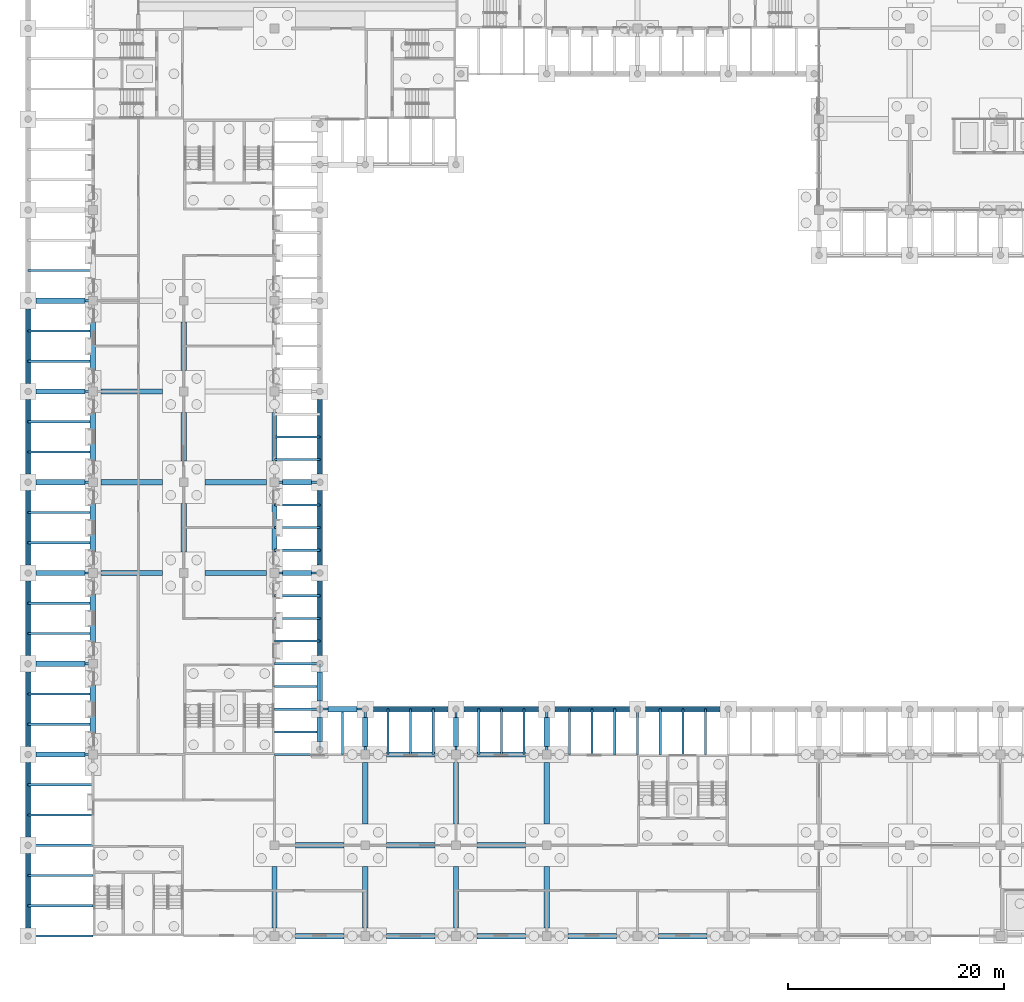
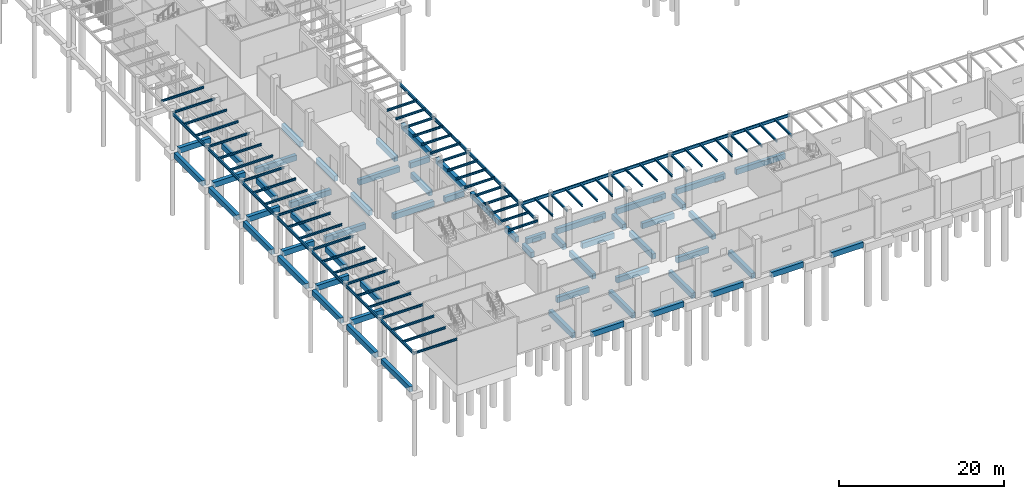
# One storey, part 9 of 82: 76 beams, 55 members.
"""IFC4 building model written with IfcOpenShell, lengths in metres."""

from ifc_helpers import new_model, si_unit, direction, frame, origin, origin_2d, place, context, subcontext, project, spatial, rectangle, i_section, extrude, material, material_profile, profile_set, type_object, element, save


model = new_model("IFC4")

# Units and contexts
model_context = context("Model", 3, precision=1e-05, world=origin(), true_north=direction((0.0, 1.0)))
body_context = subcontext(model_context, "Body", "Model", "MODEL_VIEW")
ifc_project = project(units=[si_unit("LENGTHUNIT", "METRE"), si_unit("AREAUNIT", "SQUARE_METRE"), si_unit("VOLUMEUNIT", "CUBIC_METRE"), si_unit("PLANEANGLEUNIT", "RADIAN"), si_unit("MASSUNIT", "GRAM", prefix="KILO")], contexts=[model_context])

# Site, building, storey
site_placement = place(None, origin())
site = spatial("IfcSite", under=ifc_project, at=site_placement, CompositionType="ELEMENT")
building_placement = place(site_placement, origin())
building = spatial("IfcBuilding", under=site, at=building_placement, Name="Almond Square Museum", CompositionType="ELEMENT")
storey_placement = place(building_placement, origin())
storey = spatial("IfcBuildingStorey", under=building, at=storey_placement, Name="L00", CompositionType="ELEMENT", Elevation=0.0)

# Beams
ifc_material_1 = material(Name="Structural steel S355", Category="steel")
ifc_material_profile_1 = material_profile(ifc_material_1, i_section(OverallWidth=0.19091796875, OverallDepth=0.45703125, WebThickness=0.009033203125, FlangeThickness=0.014404296875, at=origin_2d()))
ifc_profile_set_1 = profile_set([ifc_material_profile_1], Name="Structural steel S355")
beam_type_1 = type_object("IfcBeamType", Name="Eave beam W460x74", PredefinedType="BEAM", material=ifc_profile_set_1)
beam_1_placement = place(storey_placement, frame((0.0, 0.0, 5.021484375), z_axis=(0.0, 1.0, 0.0), x_axis=(-1.0, 0.0, 0.0)))
element("IfcBeam", 1, at=beam_1_placement, inside=storey, type_object=beam_type_1, Name="ARW roof edge beam 1", PredefinedType="BEAM", context=body_context, shape_type="SweptSolid", body=[
    extrude(i_section(OverallWidth=0.19091796875, OverallDepth=0.45703125, WebThickness=0.009033203125, FlangeThickness=0.014404296875, at=origin_2d()), origin(), (0.0, 0.0, 1.0), 8.39990234375),
])
beam_2_placement = place(storey_placement, frame((0.0, 8.39990234375, 5.021484375), z_axis=(0.0, 1.0, 0.0), x_axis=(-1.0, 0.0, 0.0)))
element("IfcBeam", 2, at=beam_2_placement, inside=storey, type_object=beam_type_1, Name="ARW roof edge beam 2", PredefinedType="BEAM", context=body_context, shape_type="SweptSolid", body=[
    extrude(i_section(OverallWidth=0.19091796875, OverallDepth=0.45703125, WebThickness=0.009033203125, FlangeThickness=0.014404296875, at=origin_2d()), origin(), (0.0, 0.0, 1.0), 8.400146484375),
])
beam_3_placement = place(storey_placement, frame((0.0, 16.800048828125, 5.021484375), z_axis=(0.0, 1.0, 0.0), x_axis=(-1.0, 0.0, 0.0)))
element("IfcBeam", 3, at=beam_3_placement, inside=storey, type_object=beam_type_1, Name="ARW roof edge beam 3", PredefinedType="BEAM", context=body_context, shape_type="SweptSolid", body=[
    extrude(i_section(OverallWidth=0.19091796875, OverallDepth=0.45703125, WebThickness=0.009033203125, FlangeThickness=0.014404296875, at=origin_2d()), origin(), (0.0, 0.0, 1.0), 8.39990234375),
])
beam_4_placement = place(storey_placement, frame((0.0, 25.199951171875, 5.021484375), z_axis=(0.0, 1.0, 0.0), x_axis=(-1.0, 0.0, 0.0)))
element("IfcBeam", 4, at=beam_4_placement, inside=storey, type_object=beam_type_1, Name="ARW roof edge beam 4", PredefinedType="BEAM", context=body_context, shape_type="SweptSolid", body=[
    extrude(i_section(OverallWidth=0.19091796875, OverallDepth=0.45703125, WebThickness=0.009033203125, FlangeThickness=0.014404296875, at=origin_2d()), origin(), (0.0, 0.0, 1.0), 8.400146484375),
])
for number, where, z_axis, x_axis, name in (
    (5, (0.0, 33.60009765625, 5.021484375), (0.0, 1.0, 0.0), (-1.0, 0.0, 0.0), "ARW roof edge beam 5"),
    (6, (0.0, 42.0, 5.021484375), (0.0, 1.0, 0.0), (-1.0, 0.0, 0.0), "ARW roof edge beam 6"),
):
    element("IfcBeam", number, at=place(storey_placement, frame(where, z_axis=z_axis, x_axis=x_axis)), inside=storey, type_object=beam_type_1, Name=name, PredefinedType="BEAM", context=body_context, shape_type="SweptSolid", body=[
        extrude(i_section(OverallWidth=0.19091796875, OverallDepth=0.45703125, WebThickness=0.009033203125, FlangeThickness=0.014404296875, at=origin_2d()), origin(), (0.0, 0.0, 1.0), 8.39990234375),
    ])
beam_5_placement = place(storey_placement, frame((0.0, 50.39990234375, 5.021484375), z_axis=(0.0, 1.0, 0.0), x_axis=(-1.0, 0.0, 0.0)))
element("IfcBeam", 7, at=beam_5_placement, inside=storey, type_object=beam_type_1, Name="ARW roof edge beam 7", PredefinedType="BEAM", context=body_context, shape_type="SweptSolid", body=[
    extrude(i_section(OverallWidth=0.19091796875, OverallDepth=0.45703125, WebThickness=0.009033203125, FlangeThickness=0.014404296875, at=origin_2d()), origin(), (0.0, 0.0, 1.0), 8.400146484375),
])
beam_6_placement = place(storey_placement, frame((27.0, 21.0, 5.021484375), z_axis=(1.0, 0.0, 0.0), x_axis=(0.0, 1.0, 0.0)))
element("IfcBeam", 8, at=beam_6_placement, inside=storey, type_object=beam_type_1, Name="LG-V5S roof edge beam 1", PredefinedType="BEAM", context=body_context, shape_type="SweptSolid", body=[
    extrude(i_section(OverallWidth=0.19091796875, OverallDepth=0.45703125, WebThickness=0.009033203125, FlangeThickness=0.014404296875, at=origin_2d()), origin(), (0.0, 0.0, 1.0), 4.199951171875),
])
beam_7_placement = place(storey_placement, frame((31.199951171875, 21.0, 5.021484375), z_axis=(1.0, 0.0, 0.0), x_axis=(0.0, 1.0, 0.0)))
element("IfcBeam", 9, at=beam_7_placement, inside=storey, type_object=beam_type_1, Name="LG-V5S roof edge beam 2", PredefinedType="BEAM", context=body_context, shape_type="SweptSolid", body=[
    extrude(i_section(OverallWidth=0.19091796875, OverallDepth=0.45703125, WebThickness=0.009033203125, FlangeThickness=0.014404296875, at=origin_2d()), origin(), (0.0, 0.0, 1.0), 8.400146484375),
])
for number, where, z_axis, x_axis, name in (
    (10, (39.60009765625, 21.0, 5.021484375), (1.0, 0.0, 0.0), (0.0, 1.0, 0.0), "LG-V5S roof edge beam 3"),
    (11, (48.0, 21.0, 5.021484375), (1.0, 0.0, 0.0), (0.0, 1.0, 0.0), "LG-V5S roof edge beam 4"),
):
    element("IfcBeam", number, at=place(storey_placement, frame(where, z_axis=z_axis, x_axis=x_axis)), inside=storey, type_object=beam_type_1, Name=name, PredefinedType="BEAM", context=body_context, shape_type="SweptSolid", body=[
        extrude(i_section(OverallWidth=0.19091796875, OverallDepth=0.45703125, WebThickness=0.009033203125, FlangeThickness=0.014404296875, at=origin_2d()), origin(), (0.0, 0.0, 1.0), 8.39990234375),
    ])
beam_8_placement = place(storey_placement, frame((56.39990234375, 21.0, 5.021484375), z_axis=(1.0, 0.0, 0.0), x_axis=(0.0, 1.0, 0.0)))
element("IfcBeam", 12, at=beam_8_placement, inside=storey, type_object=beam_type_1, Name="LG-V5S roof edge beam 5", PredefinedType="BEAM", context=body_context, shape_type="SweptSolid", body=[
    extrude(i_section(OverallWidth=0.19091796875, OverallDepth=0.45703125, WebThickness=0.009033203125, FlangeThickness=0.014404296875, at=origin_2d()), origin(), (0.0, 0.0, 1.0), 8.400146484375),
])
beam_9_placement = place(storey_placement, frame((27.0, 17.25, 5.021484375), z_axis=(0.0, 1.0, 0.0), x_axis=(-1.0, 0.0, 0.0)))
element("IfcBeam", 13, at=beam_9_placement, inside=storey, type_object=beam_type_1, Name="LG-V4W roof edge beam 1", PredefinedType="BEAM", context=body_context, shape_type="SweptSolid", body=[
    extrude(i_section(OverallWidth=0.19091796875, OverallDepth=0.45703125, WebThickness=0.009033203125, FlangeThickness=0.014404296875, at=origin_2d()), origin(), (0.0, 0.0, 1.0), 7.949951171875),
])
beam_10_placement = place(storey_placement, frame((27.0, 25.199951171875, 5.021484375), z_axis=(0.0, 1.0, 0.0), x_axis=(-1.0, 0.0, 0.0)))
element("IfcBeam", 14, at=beam_10_placement, inside=storey, type_object=beam_type_1, Name="LG-V4W roof edge beam 2", PredefinedType="BEAM", context=body_context, shape_type="SweptSolid", body=[
    extrude(i_section(OverallWidth=0.19091796875, OverallDepth=0.45703125, WebThickness=0.009033203125, FlangeThickness=0.014404296875, at=origin_2d()), origin(), (0.0, 0.0, 1.0), 8.400146484375),
])
for number, where, z_axis, x_axis, name in (
    (15, (27.0, 33.60009765625, 5.021484375), (0.0, 1.0, 0.0), (-1.0, 0.0, 0.0), "LG-V4W roof edge beam 3"),
    (16, (27.0, 42.0, 5.021484375), (0.0, 1.0, 0.0), (-1.0, 0.0, 0.0), "LG-V4W roof edge beam 4"),
):
    element("IfcBeam", number, at=place(storey_placement, frame(where, z_axis=z_axis, x_axis=x_axis)), inside=storey, type_object=beam_type_1, Name=name, PredefinedType="BEAM", context=body_context, shape_type="SweptSolid", body=[
        extrude(i_section(OverallWidth=0.19091796875, OverallDepth=0.45703125, WebThickness=0.009033203125, FlangeThickness=0.014404296875, at=origin_2d()), origin(), (0.0, 0.0, 1.0), 8.39990234375),
    ])
ifc_material_2 = material(Name="Concrete C35/45", Category="concrete")
ifc_material_profile_2 = material_profile(ifc_material_2, rectangle(XDim=0.5, YDim=0.800048828125, at=origin_2d()))
ifc_profile_set_2 = profile_set([ifc_material_profile_2], Name="Concrete C35/45")
beam_type_2 = type_object("IfcBeamType", Name="RC ground beam 500 x 800 C35/45", PredefinedType="BEAM", material=ifc_profile_set_2)
for number, where, z_axis, x_axis, name in (
    (17, (24.75, 0.0, -0.699951171875), (1.0, 0.0, 0.0), (0.0, 1.0, 0.0), "Ground beam 001"),
    (18, (33.14990234375, 0.0, -0.699951171875), (1.0, 0.0, 0.0), (0.0, 1.0, 0.0), "Ground beam 002"),
    (19, (41.550048828125, 0.0, -0.699951171875), (1.0, 0.0, 0.0), (0.0, 1.0, 0.0), "Ground beam 003"),
    (20, (49.949951171875, 0.0, -0.699951171875), (1.0, 0.0, 0.0), (0.0, 1.0, 0.0), "Ground beam 004"),
    (21, (58.35009765625, 0.0, -0.699951171875), (1.0, 0.0, 0.0), (0.0, 1.0, 0.0), "Ground beam 005"),
    (22, (24.75, 8.39990234375, -0.699951171875), (1.0, 0.0, 0.0), (0.0, 1.0, 0.0), "Ground beam 015"),
    (23, (33.14990234375, 8.39990234375, -0.699951171875), (1.0, 0.0, 0.0), (0.0, 1.0, 0.0), "Ground beam 016"),
    (24, (41.550048828125, 8.39990234375, -0.699951171875), (1.0, 0.0, 0.0), (0.0, 1.0, 0.0), "Ground beam 017"),
    (25, (0.75, 16.800048828125, -0.699951171875), (1.0, 0.0, 0.0), (0.0, 1.0, 0.0), "Ground beam 026"),
    (26, (33.14990234375, 16.800048828125, -0.699951171875), (1.0, 0.0, 0.0), (0.0, 1.0, 0.0), "Ground beam 027"),
    (27, (41.550048828125, 16.800048828125, -0.699951171875), (1.0, 0.0, 0.0), (0.0, 1.0, 0.0), "Ground beam 028"),
):
    element("IfcBeam", number, at=place(storey_placement, frame(where, z_axis=z_axis, x_axis=x_axis)), inside=storey, type_object=beam_type_2, Name=name, PredefinedType="BEAM", context=body_context, shape_type="SweptSolid", body=[
        extrude(rectangle(XDim=0.5, YDim=0.800048828125, at=origin_2d()), origin(), (0.0, 0.0, 1.0), 4.5),
    ])
beam_11_placement = place(storey_placement, frame((27.75, 21.0, -0.699951171875), z_axis=(1.0, 0.0, 0.0), x_axis=(0.0, 1.0, 0.0)))
element("IfcBeam", 28, at=beam_11_placement, inside=storey, type_object=beam_type_2, Name="Ground beam 037", PredefinedType="BEAM", context=body_context, shape_type="SweptSolid", body=[
    extrude(rectangle(XDim=0.5, YDim=0.800048828125, at=origin_2d()), origin(), (0.0, 0.0, 1.0), 2.699951171875),
])
beam_12_placement = place(storey_placement, frame((31.949951171875, 21.0, -0.699951171875), z_axis=(1.0, 0.0, 0.0), x_axis=(0.0, 1.0, 0.0)))
element("IfcBeam", 29, at=beam_12_placement, inside=storey, type_object=beam_type_2, Name="Ground beam 038", PredefinedType="BEAM", context=body_context, shape_type="SweptSolid", body=[
    extrude(rectangle(XDim=0.5, YDim=0.800048828125, at=origin_2d()), origin(), (0.0, 0.0, 1.0), 6.900146484375),
])
for number, where, z_axis, x_axis, name in (
    (30, (40.35009765625, 21.0, -0.699951171875), (1.0, 0.0, 0.0), (0.0, 1.0, 0.0), "Ground beam 039"),
    (31, (48.75, 21.0, -0.699951171875), (1.0, 0.0, 0.0), (0.0, 1.0, 0.0), "Ground beam 040"),
):
    element("IfcBeam", number, at=place(storey_placement, frame(where, z_axis=z_axis, x_axis=x_axis)), inside=storey, type_object=beam_type_2, Name=name, PredefinedType="BEAM", context=body_context, shape_type="SweptSolid", body=[
        extrude(rectangle(XDim=0.5, YDim=0.800048828125, at=origin_2d()), origin(), (0.0, 0.0, 1.0), 6.89990234375),
    ])
beam_13_placement = place(storey_placement, frame((57.14990234375, 21.0, -0.699951171875), z_axis=(1.0, 0.0, 0.0), x_axis=(0.0, 1.0, 0.0)))
element("IfcBeam", 32, at=beam_13_placement, inside=storey, type_object=beam_type_2, Name="Ground beam 041", PredefinedType="BEAM", context=body_context, shape_type="SweptSolid", body=[
    extrude(rectangle(XDim=0.5, YDim=0.800048828125, at=origin_2d()), origin(), (0.0, 0.0, 1.0), 6.900146484375),
])
for number, where, z_axis, x_axis, name in (
    (33, (0.75, 25.199951171875, -0.699951171875), (1.0, 0.0, 0.0), (0.0, 1.0, 0.0), "Ground beam 051"),
    (34, (0.75, 33.60009765625, -0.699951171875), (1.0, 0.0, 0.0), (0.0, 1.0, 0.0), "Ground beam 057"),
):
    element("IfcBeam", number, at=place(storey_placement, frame(where, z_axis=z_axis, x_axis=x_axis)), inside=storey, type_object=beam_type_2, Name=name, PredefinedType="BEAM", context=body_context, shape_type="SweptSolid", body=[
        extrude(rectangle(XDim=0.5, YDim=0.800048828125, at=origin_2d()), origin(), (0.0, 0.0, 1.0), 4.5),
    ])
for number, where, z_axis, x_axis, name in (
    (35, (6.75, 33.60009765625, -0.699951171875), (1.0, 0.0, 0.0), (0.0, 1.0, 0.0), "Ground beam 058"),
    (36, (16.35009765625, 33.60009765625, -0.699951171875), (1.0, 0.0, 0.0), (0.0, 1.0, 0.0), "Ground beam 059"),
):
    element("IfcBeam", number, at=place(storey_placement, frame(where, z_axis=z_axis, x_axis=x_axis)), inside=storey, type_object=beam_type_2, Name=name, PredefinedType="BEAM", context=body_context, shape_type="SweptSolid", body=[
        extrude(rectangle(XDim=0.5, YDim=0.800048828125, at=origin_2d()), origin(), (0.0, 0.0, 1.0), 5.699951171875),
    ])
beam_14_placement = place(storey_placement, frame((23.550048828125, 33.60009765625, -0.699951171875), z_axis=(1.0, 0.0, 0.0), x_axis=(0.0, 1.0, 0.0)))
element("IfcBeam", 37, at=beam_14_placement, inside=storey, type_object=beam_type_2, Name="Ground beam 060", PredefinedType="BEAM", context=body_context, shape_type="SweptSolid", body=[
    extrude(rectangle(XDim=0.5, YDim=0.800048828125, at=origin_2d()), origin(), (0.0, 0.0, 1.0), 2.699951171875),
])
beam_15_placement = place(storey_placement, frame((0.75, 42.0, -0.699951171875), z_axis=(1.0, 0.0, 0.0), x_axis=(0.0, 1.0, 0.0)))
element("IfcBeam", 38, at=beam_15_placement, inside=storey, type_object=beam_type_2, Name="Ground beam 063", PredefinedType="BEAM", context=body_context, shape_type="SweptSolid", body=[
    extrude(rectangle(XDim=0.5, YDim=0.800048828125, at=origin_2d()), origin(), (0.0, 0.0, 1.0), 4.5),
])
for number, where, z_axis, x_axis, name in (
    (39, (6.75, 42.0, -0.699951171875), (1.0, 0.0, 0.0), (0.0, 1.0, 0.0), "Ground beam 064"),
    (40, (16.35009765625, 42.0, -0.699951171875), (1.0, 0.0, 0.0), (0.0, 1.0, 0.0), "Ground beam 065"),
):
    element("IfcBeam", number, at=place(storey_placement, frame(where, z_axis=z_axis, x_axis=x_axis)), inside=storey, type_object=beam_type_2, Name=name, PredefinedType="BEAM", context=body_context, shape_type="SweptSolid", body=[
        extrude(rectangle(XDim=0.5, YDim=0.800048828125, at=origin_2d()), origin(), (0.0, 0.0, 1.0), 5.699951171875),
    ])
beam_16_placement = place(storey_placement, frame((23.550048828125, 42.0, -0.699951171875), z_axis=(1.0, 0.0, 0.0), x_axis=(0.0, 1.0, 0.0)))
element("IfcBeam", 41, at=beam_16_placement, inside=storey, type_object=beam_type_2, Name="Ground beam 066", PredefinedType="BEAM", context=body_context, shape_type="SweptSolid", body=[
    extrude(rectangle(XDim=0.5, YDim=0.800048828125, at=origin_2d()), origin(), (0.0, 0.0, 1.0), 2.699951171875),
])
beam_17_placement = place(storey_placement, frame((0.75, 50.39990234375, -0.699951171875), z_axis=(1.0, 0.0, 0.0), x_axis=(0.0, 1.0, 0.0)))
element("IfcBeam", 42, at=beam_17_placement, inside=storey, type_object=beam_type_2, Name="Ground beam 072", PredefinedType="BEAM", context=body_context, shape_type="SweptSolid", body=[
    extrude(rectangle(XDim=0.5, YDim=0.800048828125, at=origin_2d()), origin(), (0.0, 0.0, 1.0), 4.5),
])
beam_18_placement = place(storey_placement, frame((6.75, 50.39990234375, -0.699951171875), z_axis=(1.0, 0.0, 0.0), x_axis=(0.0, 1.0, 0.0)))
element("IfcBeam", 43, at=beam_18_placement, inside=storey, type_object=beam_type_2, Name="Ground beam 073", PredefinedType="BEAM", context=body_context, shape_type="SweptSolid", body=[
    extrude(rectangle(XDim=0.5, YDim=0.800048828125, at=origin_2d()), origin(), (0.0, 0.0, 1.0), 5.699951171875),
])
beam_19_placement = place(storey_placement, frame((0.75, 58.800048828125, -0.699951171875), z_axis=(1.0, 0.0, 0.0), x_axis=(0.0, 1.0, 0.0)))
element("IfcBeam", 44, at=beam_19_placement, inside=storey, type_object=beam_type_2, Name="Ground beam 078", PredefinedType="BEAM", context=body_context, shape_type="SweptSolid", body=[
    extrude(rectangle(XDim=0.5, YDim=0.800048828125, at=origin_2d()), origin(), (0.0, 0.0, 1.0), 4.5),
])
beam_20_placement = place(storey_placement, frame((0.0, 0.75, -0.699951171875), z_axis=(0.0, 1.0, 0.0), x_axis=(-1.0, 0.0, 0.0)))
element("IfcBeam", 45, at=beam_20_placement, inside=storey, type_object=beam_type_2, Name="Ground beam 164", PredefinedType="BEAM", context=body_context, shape_type="SweptSolid", body=[
    extrude(rectangle(XDim=0.5, YDim=0.800048828125, at=origin_2d()), origin(), (0.0, 0.0, 1.0), 6.89990234375),
])
beam_21_placement = place(storey_placement, frame((0.0, 9.14990234375, -0.699951171875), z_axis=(0.0, 1.0, 0.0), x_axis=(-1.0, 0.0, 0.0)))
element("IfcBeam", 46, at=beam_21_placement, inside=storey, type_object=beam_type_2, Name="Ground beam 165", PredefinedType="BEAM", context=body_context, shape_type="SweptSolid", body=[
    extrude(rectangle(XDim=0.5, YDim=0.800048828125, at=origin_2d()), origin(), (0.0, 0.0, 1.0), 6.900146484375),
])
beam_22_placement = place(storey_placement, frame((0.0, 17.550048828125, -0.699951171875), z_axis=(0.0, 1.0, 0.0), x_axis=(-1.0, 0.0, 0.0)))
element("IfcBeam", 47, at=beam_22_placement, inside=storey, type_object=beam_type_2, Name="Ground beam 166", PredefinedType="BEAM", context=body_context, shape_type="SweptSolid", body=[
    extrude(rectangle(XDim=0.5, YDim=0.800048828125, at=origin_2d()), origin(), (0.0, 0.0, 1.0), 6.89990234375),
])
beam_23_placement = place(storey_placement, frame((0.0, 25.949951171875, -0.699951171875), z_axis=(0.0, 1.0, 0.0), x_axis=(-1.0, 0.0, 0.0)))
element("IfcBeam", 48, at=beam_23_placement, inside=storey, type_object=beam_type_2, Name="Ground beam 167", PredefinedType="BEAM", context=body_context, shape_type="SweptSolid", body=[
    extrude(rectangle(XDim=0.5, YDim=0.800048828125, at=origin_2d()), origin(), (0.0, 0.0, 1.0), 6.900146484375),
])
for number, where, z_axis, x_axis, name in (
    (49, (0.0, 34.35009765625, -0.699951171875), (0.0, 1.0, 0.0), (-1.0, 0.0, 0.0), "Ground beam 168"),
    (50, (0.0, 42.75, -0.699951171875), (0.0, 1.0, 0.0), (-1.0, 0.0, 0.0), "Ground beam 169"),
):
    element("IfcBeam", number, at=place(storey_placement, frame(where, z_axis=z_axis, x_axis=x_axis)), inside=storey, type_object=beam_type_2, Name=name, PredefinedType="BEAM", context=body_context, shape_type="SweptSolid", body=[
        extrude(rectangle(XDim=0.5, YDim=0.800048828125, at=origin_2d()), origin(), (0.0, 0.0, 1.0), 6.89990234375),
    ])
beam_24_placement = place(storey_placement, frame((0.0, 51.14990234375, -0.699951171875), z_axis=(0.0, 1.0, 0.0), x_axis=(-1.0, 0.0, 0.0)))
element("IfcBeam", 51, at=beam_24_placement, inside=storey, type_object=beam_type_2, Name="Ground beam 170", PredefinedType="BEAM", context=body_context, shape_type="SweptSolid", body=[
    extrude(rectangle(XDim=0.5, YDim=0.800048828125, at=origin_2d()), origin(), (0.0, 0.0, 1.0), 6.900146484375),
])
for number, where, z_axis, x_axis, name in (
    (52, (6.0, 18.75, -0.699951171875), (0.0, 1.0, 0.0), (-1.0, 0.0, 0.0), "Ground beam 178"),
    (53, (6.0, 27.14990234375, -0.699951171875), (0.0, 1.0, 0.0), (-1.0, 0.0, 0.0), "Ground beam 179"),
    (54, (6.0, 35.550048828125, -0.699951171875), (0.0, 1.0, 0.0), (-1.0, 0.0, 0.0), "Ground beam 180"),
    (55, (6.0, 43.949951171875, -0.699951171875), (0.0, 1.0, 0.0), (-1.0, 0.0, 0.0), "Ground beam 181"),
    (56, (6.0, 52.35009765625, -0.699951171875), (0.0, 1.0, 0.0), (-1.0, 0.0, 0.0), "Ground beam 182"),
    (57, (14.39990234375, 35.550048828125, -0.699951171875), (0.0, 1.0, 0.0), (-1.0, 0.0, 0.0), "Ground beam 187"),
    (58, (14.39990234375, 43.949951171875, -0.699951171875), (0.0, 1.0, 0.0), (-1.0, 0.0, 0.0), "Ground beam 188"),
    (59, (14.39990234375, 52.35009765625, -0.699951171875), (0.0, 1.0, 0.0), (-1.0, 0.0, 0.0), "Ground beam 189"),
):
    element("IfcBeam", number, at=place(storey_placement, frame(where, z_axis=z_axis, x_axis=x_axis)), inside=storey, type_object=beam_type_2, Name=name, PredefinedType="BEAM", context=body_context, shape_type="SweptSolid", body=[
        extrude(rectangle(XDim=0.5, YDim=0.800048828125, at=origin_2d()), origin(), (0.0, 0.0, 1.0), 4.5),
    ])
beam_25_placement = place(storey_placement, frame((22.800048828125, 0.75, -0.699951171875), z_axis=(0.0, 1.0, 0.0), x_axis=(-1.0, 0.0, 0.0)))
element("IfcBeam", 60, at=beam_25_placement, inside=storey, type_object=beam_type_2, Name="Ground beam 191", PredefinedType="BEAM", context=body_context, shape_type="SweptSolid", body=[
    extrude(rectangle(XDim=0.5, YDim=0.800048828125, at=origin_2d()), origin(), (0.0, 0.0, 1.0), 5.699951171875),
])
for number, where, z_axis, x_axis, name in (
    (61, (22.800048828125, 35.550048828125, -0.699951171875), (0.0, 1.0, 0.0), (-1.0, 0.0, 0.0), "Ground beam 192"),
    (62, (22.800048828125, 43.949951171875, -0.699951171875), (0.0, 1.0, 0.0), (-1.0, 0.0, 0.0), "Ground beam 193"),
):
    element("IfcBeam", number, at=place(storey_placement, frame(where, z_axis=z_axis, x_axis=x_axis)), inside=storey, type_object=beam_type_2, Name=name, PredefinedType="BEAM", context=body_context, shape_type="SweptSolid", body=[
        extrude(rectangle(XDim=0.5, YDim=0.800048828125, at=origin_2d()), origin(), (0.0, 0.0, 1.0), 4.5),
    ])
beam_26_placement = place(storey_placement, frame((27.0, 18.0, -0.699951171875), z_axis=(0.0, 1.0, 0.0), x_axis=(-1.0, 0.0, 0.0)))
element("IfcBeam", 63, at=beam_26_placement, inside=storey, type_object=beam_type_2, Name="Ground beam 196", PredefinedType="BEAM", context=body_context, shape_type="SweptSolid", body=[
    extrude(rectangle(XDim=0.5, YDim=0.800048828125, at=origin_2d()), origin(), (0.0, 0.0, 1.0), 2.25),
])
beam_27_placement = place(storey_placement, frame((27.0, 21.75, -0.699951171875), z_axis=(0.0, 1.0, 0.0), x_axis=(-1.0, 0.0, 0.0)))
element("IfcBeam", 64, at=beam_27_placement, inside=storey, type_object=beam_type_2, Name="Ground beam 197", PredefinedType="BEAM", context=body_context, shape_type="SweptSolid", body=[
    extrude(rectangle(XDim=0.5, YDim=0.800048828125, at=origin_2d()), origin(), (0.0, 0.0, 1.0), 2.699951171875),
])
beam_28_placement = place(storey_placement, frame((27.0, 25.949951171875, -0.699951171875), z_axis=(0.0, 1.0, 0.0), x_axis=(-1.0, 0.0, 0.0)))
element("IfcBeam", 65, at=beam_28_placement, inside=storey, type_object=beam_type_2, Name="Ground beam 198", PredefinedType="BEAM", context=body_context, shape_type="SweptSolid", body=[
    extrude(rectangle(XDim=0.5, YDim=0.800048828125, at=origin_2d()), origin(), (0.0, 0.0, 1.0), 6.900146484375),
])
for number, where, z_axis, x_axis, name in (
    (66, (27.0, 34.35009765625, -0.699951171875), (0.0, 1.0, 0.0), (-1.0, 0.0, 0.0), "Ground beam 199"),
    (67, (27.0, 42.75, -0.699951171875), (0.0, 1.0, 0.0), (-1.0, 0.0, 0.0), "Ground beam 200"),
):
    element("IfcBeam", number, at=place(storey_placement, frame(where, z_axis=z_axis, x_axis=x_axis)), inside=storey, type_object=beam_type_2, Name=name, PredefinedType="BEAM", context=body_context, shape_type="SweptSolid", body=[
        extrude(rectangle(XDim=0.5, YDim=0.800048828125, at=origin_2d()), origin(), (0.0, 0.0, 1.0), 6.89990234375),
    ])
for number, where, z_axis, x_axis, name in (
    (68, (31.199951171875, 0.75, -0.699951171875), (0.0, 1.0, 0.0), (-1.0, 0.0, 0.0), "Ground beam 205"),
    (69, (31.199951171875, 10.35009765625, -0.699951171875), (0.0, 1.0, 0.0), (-1.0, 0.0, 0.0), "Ground beam 206"),
):
    element("IfcBeam", number, at=place(storey_placement, frame(where, z_axis=z_axis, x_axis=x_axis)), inside=storey, type_object=beam_type_2, Name=name, PredefinedType="BEAM", context=body_context, shape_type="SweptSolid", body=[
        extrude(rectangle(XDim=0.5, YDim=0.800048828125, at=origin_2d()), origin(), (0.0, 0.0, 1.0), 5.699951171875),
    ])
beam_29_placement = place(storey_placement, frame((31.199951171875, 17.550048828125, -0.699951171875), z_axis=(0.0, 1.0, 0.0), x_axis=(-1.0, 0.0, 0.0)))
element("IfcBeam", 70, at=beam_29_placement, inside=storey, type_object=beam_type_2, Name="Ground beam 207", PredefinedType="BEAM", context=body_context, shape_type="SweptSolid", body=[
    extrude(rectangle(XDim=0.5, YDim=0.800048828125, at=origin_2d()), origin(), (0.0, 0.0, 1.0), 2.699951171875),
])
for number, where, z_axis, x_axis, name in (
    (71, (39.60009765625, 0.75, -0.699951171875), (0.0, 1.0, 0.0), (-1.0, 0.0, 0.0), "Ground beam 209"),
    (72, (39.60009765625, 10.35009765625, -0.699951171875), (0.0, 1.0, 0.0), (-1.0, 0.0, 0.0), "Ground beam 210"),
):
    element("IfcBeam", number, at=place(storey_placement, frame(where, z_axis=z_axis, x_axis=x_axis)), inside=storey, type_object=beam_type_2, Name=name, PredefinedType="BEAM", context=body_context, shape_type="SweptSolid", body=[
        extrude(rectangle(XDim=0.5, YDim=0.800048828125, at=origin_2d()), origin(), (0.0, 0.0, 1.0), 5.699951171875),
    ])
beam_30_placement = place(storey_placement, frame((39.60009765625, 17.550048828125, -0.699951171875), z_axis=(0.0, 1.0, 0.0), x_axis=(-1.0, 0.0, 0.0)))
element("IfcBeam", 73, at=beam_30_placement, inside=storey, type_object=beam_type_2, Name="Ground beam 211", PredefinedType="BEAM", context=body_context, shape_type="SweptSolid", body=[
    extrude(rectangle(XDim=0.5, YDim=0.800048828125, at=origin_2d()), origin(), (0.0, 0.0, 1.0), 2.699951171875),
])
for number, where, z_axis, x_axis, name in (
    (74, (48.0, 0.75, -0.699951171875), (0.0, 1.0, 0.0), (-1.0, 0.0, 0.0), "Ground beam 214"),
    (75, (48.0, 10.35009765625, -0.699951171875), (0.0, 1.0, 0.0), (-1.0, 0.0, 0.0), "Ground beam 215"),
):
    element("IfcBeam", number, at=place(storey_placement, frame(where, z_axis=z_axis, x_axis=x_axis)), inside=storey, type_object=beam_type_2, Name=name, PredefinedType="BEAM", context=body_context, shape_type="SweptSolid", body=[
        extrude(rectangle(XDim=0.5, YDim=0.800048828125, at=origin_2d()), origin(), (0.0, 0.0, 1.0), 5.699951171875),
    ])
beam_31_placement = place(storey_placement, frame((48.0, 17.550048828125, -0.699951171875), z_axis=(0.0, 1.0, 0.0), x_axis=(-1.0, 0.0, 0.0)))
element("IfcBeam", 76, at=beam_31_placement, inside=storey, type_object=beam_type_2, Name="Ground beam 216", PredefinedType="BEAM", context=body_context, shape_type="SweptSolid", body=[
    extrude(rectangle(XDim=0.5, YDim=0.800048828125, at=origin_2d()), origin(), (0.0, 0.0, 1.0), 2.699951171875),
])

# Members
ifc_material_3 = material(Name="Structural steel S355", Category="steel")
ifc_material_profile_3 = material_profile(ifc_material_3, i_section(OverallWidth=0.202880859375, OverallDepth=0.302001953125, WebThickness=0.007568359375, FlangeThickness=0.01318359375, at=origin_2d()))
ifc_profile_set_3 = profile_set([ifc_material_profile_3], Name="Structural steel S355")
member_type = type_object("IfcMemberType", Name="Steel joist W310x60", PredefinedType="MEMBER", material=ifc_profile_set_3)
for number, where, z_axis, x_axis, name in (
    (77, (6.0, 0.0, 5.09912109375), (-1.0, 0.0, 0.0), (0.0, -1.0, 0.0), "ARW roof joist 1"),
    (78, (6.0, 2.800048828125, 5.09912109375), (-1.0, 0.0, 0.0), (0.0, -1.0, 0.0), "ARW roof joist 2"),
    (79, (6.0, 5.60009765625, 5.09912109375), (-1.0, 0.0, 0.0), (0.0, -1.0, 0.0), "ARW roof joist 3"),
    (80, (6.0, 8.39990234375, 5.09912109375), (-1.0, 0.0, 0.0), (0.0, -1.0, 0.0), "ARW roof joist 4"),
    (81, (6.0, 11.199951171875, 5.09912109375), (-1.0, 0.0, 0.0), (0.0, -1.0, 0.0), "ARW roof joist 5"),
    (82, (6.0, 14.0, 5.09912109375), (-1.0, 0.0, 0.0), (0.0, -1.0, 0.0), "ARW roof joist 6"),
    (83, (6.0, 16.800048828125, 5.09912109375), (-1.0, 0.0, 0.0), (0.0, -1.0, 0.0), "ARW roof joist 7"),
    (84, (6.0, 19.60009765625, 5.09912109375), (-1.0, 0.0, 0.0), (0.0, -1.0, 0.0), "ARW roof joist 8"),
    (85, (6.0, 22.39990234375, 5.09912109375), (-1.0, 0.0, 0.0), (0.0, -1.0, 0.0), "ARW roof joist 9"),
    (86, (6.0, 25.199951171875, 5.09912109375), (-1.0, 0.0, 0.0), (0.0, -1.0, 0.0), "ARW roof joist 10"),
    (87, (6.0, 28.0, 5.09912109375), (-1.0, 0.0, 0.0), (0.0, -1.0, 0.0), "ARW roof joist 11"),
    (88, (6.0, 30.800048828125, 5.09912109375), (-1.0, 0.0, 0.0), (0.0, -1.0, 0.0), "ARW roof joist 12"),
    (89, (6.0, 33.60009765625, 5.09912109375), (-1.0, 0.0, 0.0), (0.0, -1.0, 0.0), "ARW roof joist 13"),
    (90, (6.0, 36.39990234375, 5.09912109375), (-1.0, 0.0, 0.0), (0.0, -1.0, 0.0), "ARW roof joist 14"),
    (91, (6.0, 39.199951171875, 5.09912109375), (-1.0, 0.0, 0.0), (0.0, -1.0, 0.0), "ARW roof joist 15"),
    (92, (6.0, 42.0, 5.09912109375), (-1.0, 0.0, 0.0), (0.0, -1.0, 0.0), "ARW roof joist 16"),
    (93, (6.0, 44.800048828125, 5.09912109375), (-1.0, 0.0, 0.0), (0.0, -1.0, 0.0), "ARW roof joist 17"),
    (94, (6.0, 47.60009765625, 5.09912109375), (-1.0, 0.0, 0.0), (0.0, -1.0, 0.0), "ARW roof joist 18"),
    (95, (6.0, 50.39990234375, 5.09912109375), (-1.0, 0.0, 0.0), (0.0, -1.0, 0.0), "ARW roof joist 19"),
    (96, (6.0, 53.199951171875, 5.09912109375), (-1.0, 0.0, 0.0), (0.0, -1.0, 0.0), "ARW roof joist 20"),
    (97, (6.0, 56.0, 5.09912109375), (-1.0, 0.0, 0.0), (0.0, -1.0, 0.0), "ARW roof joist 21"),
    (98, (6.0, 58.800048828125, 5.09912109375), (-1.0, 0.0, 0.0), (0.0, -1.0, 0.0), "ARW roof joist 22"),
    (99, (6.0, 61.60009765625, 5.09912109375), (-1.0, 0.0, 0.0), (0.0, -1.0, 0.0), "ARW roof joist 23"),
):
    element("IfcMember", number, at=place(storey_placement, frame(where, z_axis=z_axis, x_axis=x_axis)), inside=storey, type_object=member_type, Name=name, PredefinedType="MEMBER", context=body_context, shape_type="SweptSolid", body=[
        extrude(i_section(OverallWidth=0.202880859375, OverallDepth=0.302001953125, WebThickness=0.007568359375, FlangeThickness=0.01318359375, at=origin_2d()), origin(), (0.0, 0.0, 1.0), 6.0),
    ])
for number, where, z_axis, x_axis, name in (
    (100, (29.10009765625, 16.800048828125, 5.09912109375), (0.0, 1.0, 0.0), (-1.0, 0.0, 0.0), "LG-V5S roof joist 2"),
    (101, (31.199951171875, 16.800048828125, 5.09912109375), (0.0, 1.0, 0.0), (-1.0, 0.0, 0.0), "LG-V5S roof joist 3"),
    (102, (33.300048828125, 16.800048828125, 5.09912109375), (0.0, 1.0, 0.0), (-1.0, 0.0, 0.0), "LG-V5S roof joist 4"),
    (103, (35.39990234375, 16.800048828125, 5.09912109375), (0.0, 1.0, 0.0), (-1.0, 0.0, 0.0), "LG-V5S roof joist 5"),
    (104, (37.5, 16.800048828125, 5.09912109375), (0.0, 1.0, 0.0), (-1.0, 0.0, 0.0), "LG-V5S roof joist 6"),
    (105, (39.60009765625, 16.800048828125, 5.09912109375), (0.0, 1.0, 0.0), (-1.0, 0.0, 0.0), "LG-V5S roof joist 7"),
    (106, (41.699951171875, 16.800048828125, 5.09912109375), (0.0, 1.0, 0.0), (-1.0, 0.0, 0.0), "LG-V5S roof joist 8"),
    (107, (43.800048828125, 16.800048828125, 5.09912109375), (0.0, 1.0, 0.0), (-1.0, 0.0, 0.0), "LG-V5S roof joist 9"),
    (108, (45.89990234375, 16.800048828125, 5.09912109375), (0.0, 1.0, 0.0), (-1.0, 0.0, 0.0), "LG-V5S roof joist 10"),
    (109, (48.0, 16.800048828125, 5.09912109375), (0.0, 1.0, 0.0), (-1.0, 0.0, 0.0), "LG-V5S roof joist 11"),
    (110, (50.10009765625, 16.800048828125, 5.09912109375), (0.0, 1.0, 0.0), (-1.0, 0.0, 0.0), "LG-V5S roof joist 12"),
    (111, (52.199951171875, 16.800048828125, 5.09912109375), (0.0, 1.0, 0.0), (-1.0, 0.0, 0.0), "LG-V5S roof joist 13"),
    (112, (54.300048828125, 16.800048828125, 5.09912109375), (0.0, 1.0, 0.0), (-1.0, 0.0, 0.0), "LG-V5S roof joist 14"),
    (113, (56.39990234375, 16.800048828125, 5.09912109375), (0.0, 1.0, 0.0), (-1.0, 0.0, 0.0), "LG-V5S roof joist 15"),
    (114, (58.5, 16.800048828125, 5.09912109375), (0.0, 1.0, 0.0), (-1.0, 0.0, 0.0), "LG-V5S roof joist 16"),
    (115, (60.60009765625, 16.800048828125, 5.09912109375), (0.0, 1.0, 0.0), (-1.0, 0.0, 0.0), "LG-V5S roof joist 17"),
    (116, (62.699951171875, 16.800048828125, 5.09912109375), (0.0, 1.0, 0.0), (-1.0, 0.0, 0.0), "LG-V5S roof joist 18"),
    (117, (22.800048828125, 16.800048828125, 5.09912109375), (1.0, 0.0, 0.0), (0.0, 1.0, 0.0), "LG-V4W roof joist 1"),
    (118, (22.800048828125, 18.89990234375, 5.09912109375), (1.0, 0.0, 0.0), (0.0, 1.0, 0.0), "LG-V4W roof joist 2"),
    (119, (22.800048828125, 21.0, 5.09912109375), (1.0, 0.0, 0.0), (0.0, 1.0, 0.0), "LG-V4W roof joist 3"),
    (120, (22.800048828125, 23.10009765625, 5.09912109375), (1.0, 0.0, 0.0), (0.0, 1.0, 0.0), "LG-V4W roof joist 4"),
    (121, (22.800048828125, 25.199951171875, 5.09912109375), (1.0, 0.0, 0.0), (0.0, 1.0, 0.0), "LG-V4W roof joist 5"),
    (122, (22.800048828125, 27.300048828125, 5.09912109375), (1.0, 0.0, 0.0), (0.0, 1.0, 0.0), "LG-V4W roof joist 6"),
    (123, (22.800048828125, 29.39990234375, 5.09912109375), (1.0, 0.0, 0.0), (0.0, 1.0, 0.0), "LG-V4W roof joist 7"),
    (124, (22.800048828125, 31.5, 5.09912109375), (1.0, 0.0, 0.0), (0.0, 1.0, 0.0), "LG-V4W roof joist 8"),
    (125, (22.800048828125, 33.60009765625, 5.09912109375), (1.0, 0.0, 0.0), (0.0, 1.0, 0.0), "LG-V4W roof joist 9"),
    (126, (22.800048828125, 35.699951171875, 5.09912109375), (1.0, 0.0, 0.0), (0.0, 1.0, 0.0), "LG-V4W roof joist 10"),
    (127, (22.800048828125, 37.800048828125, 5.09912109375), (1.0, 0.0, 0.0), (0.0, 1.0, 0.0), "LG-V4W roof joist 11"),
    (128, (22.800048828125, 39.89990234375, 5.09912109375), (1.0, 0.0, 0.0), (0.0, 1.0, 0.0), "LG-V4W roof joist 12"),
    (129, (22.800048828125, 42.0, 5.09912109375), (1.0, 0.0, 0.0), (0.0, 1.0, 0.0), "LG-V4W roof joist 13"),
    (130, (22.800048828125, 44.10009765625, 5.09912109375), (1.0, 0.0, 0.0), (0.0, 1.0, 0.0), "LG-V4W roof joist 14"),
    (131, (22.800048828125, 46.199951171875, 5.09912109375), (1.0, 0.0, 0.0), (0.0, 1.0, 0.0), "LG-V4W roof joist 15"),
):
    element("IfcMember", number, at=place(storey_placement, frame(where, z_axis=z_axis, x_axis=x_axis)), inside=storey, type_object=member_type, Name=name, PredefinedType="MEMBER", context=body_context, shape_type="SweptSolid", body=[
        extrude(i_section(OverallWidth=0.202880859375, OverallDepth=0.302001953125, WebThickness=0.007568359375, FlangeThickness=0.01318359375, at=origin_2d()), origin(), (0.0, 0.0, 1.0), 4.199951171875),
    ])

save(model, "model.ifc")
